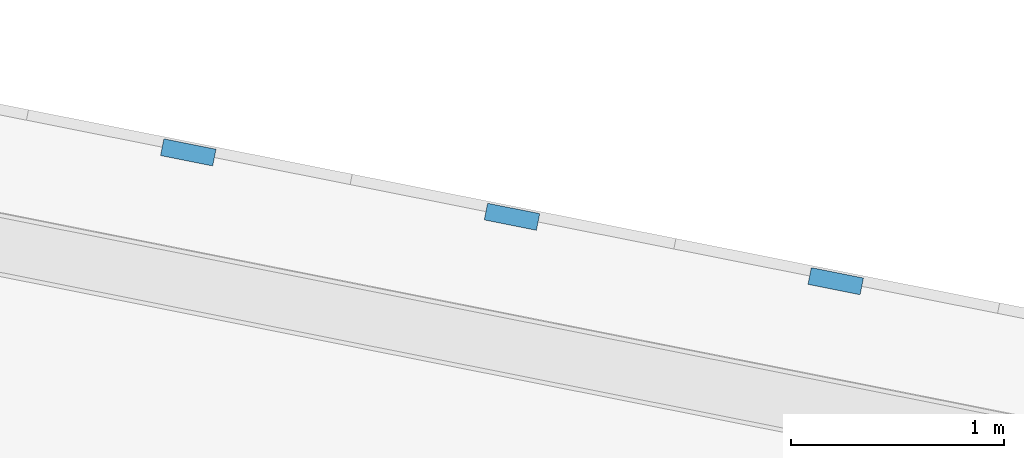
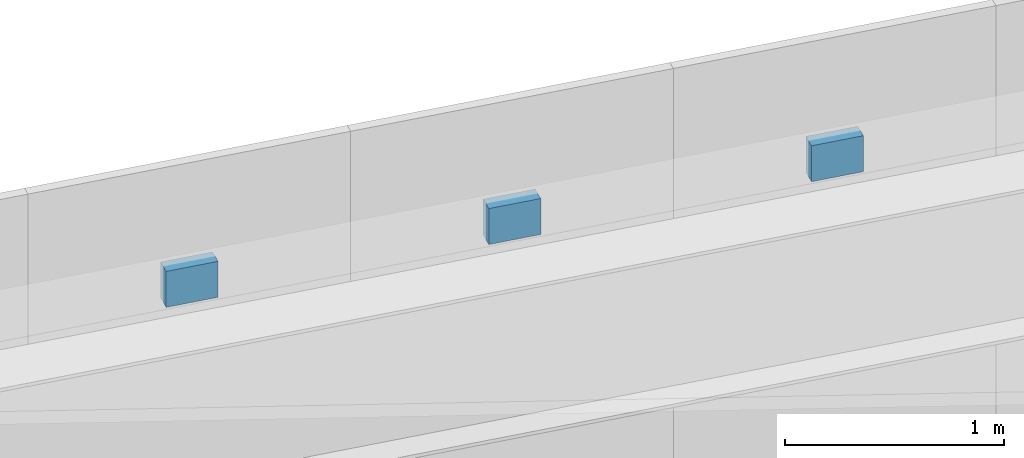
# One storey, part 248 of 278: 3 discrete accessories.
"""IFC4 building model written with IfcOpenShell, lengths in metres."""

from ifc_helpers import new_model, si_unit, direction, frame, origin, origin_2d, place, context, subcontext, project, spatial, rectangle, extrude, material, layer, layer_set, type_object, element, save


model = new_model("IFC4")

# Units and contexts
model_context = context("Model", 3, precision=1e-05, world=origin(), true_north=direction((0.0, 1.0)))
body_context = subcontext(model_context, "Body", "Model", "MODEL_VIEW")
ifc_project = project(units=[si_unit("LENGTHUNIT", "METRE"), si_unit("AREAUNIT", "SQUARE_METRE"), si_unit("VOLUMEUNIT", "CUBIC_METRE"), si_unit("PLANEANGLEUNIT", "RADIAN"), si_unit("MASSUNIT", "GRAM", prefix="KILO")], contexts=[model_context])

# Site, building, storey
site_placement = place(None, origin())
site = spatial("IfcSite", under=ifc_project, at=site_placement, CompositionType="ELEMENT")
building_placement = place(site_placement, origin())
building = spatial("IfcBuilding", under=site, at=building_placement, Name="Ogive Plaza Stadium", CompositionType="ELEMENT")
storey_placement = place(building_placement, frame((0.0, 0.0, 29.0)))
storey = spatial("IfcBuildingStorey", under=building, at=storey_placement, Name="Roof", CompositionType="ELEMENT", Elevation=29.0)

# Discrete accessories
ifc_material = material(Name="Steel ASTM A572 Grade 50", Category="steel")
ifc_layer = layer(ifc_material, 0.080078125)
ifc_layer_set = layer_set([ifc_layer], Name="Steel ASTM A572 Grade 50")
discrete_accessory_type = type_object("IfcDiscreteAccessoryType", Name="Tracery screen bracket 250x200", PredefinedType="BRACKET", material=ifc_layer_set)
for number, where, z_axis, x_axis, name in (
    (1, (39.878173828125, 101.94189453125, 5.25), (0.0, 0.0, 1.0), (0.980785280403, -0.195090322016, 0.0), "TRACERY SCREEN BRACKET B37 4"),
    (2, (41.400390625, 101.63916015625, 5.25), (0.0, 0.0, 1.0), (0.980785280403, -0.195090322016, 0.0), "TRACERY SCREEN BRACKET B37 5"),
    (3, (42.9228515625, 101.336181640625, 5.25), (0.0, 0.0, 1.0), (0.980785280403, -0.195090322016, 0.0), "TRACERY SCREEN BRACKET B37 6"),
):
    element("IfcDiscreteAccessory", number, at=place(storey_placement, frame(where, z_axis=z_axis, x_axis=x_axis)), inside=storey, type_object=discrete_accessory_type, Name=name, PredefinedType="BRACKET", context=body_context, shape_type="SweptSolid", body=[
        extrude(rectangle(XDim=0.25, YDim=0.080078125, at=origin_2d()), origin(), (0.0, 0.0, 1.0), 0.199951171875),
    ])

save(model, "model.ifc")
